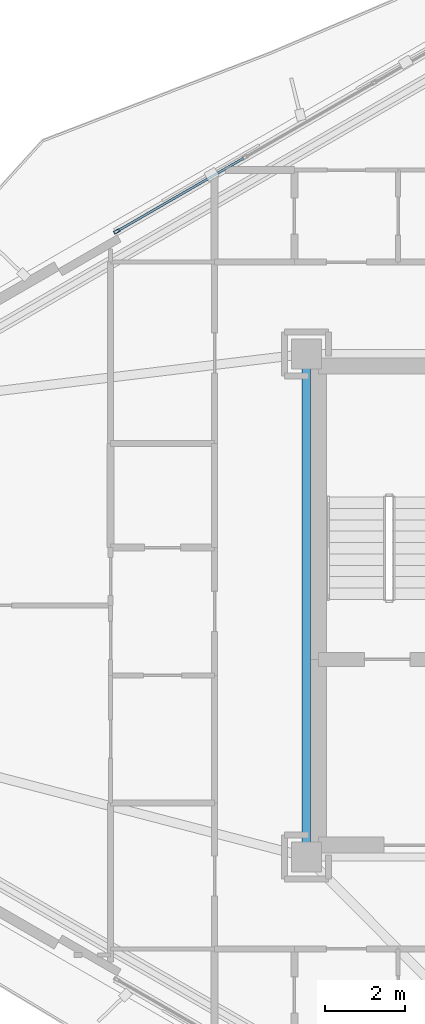
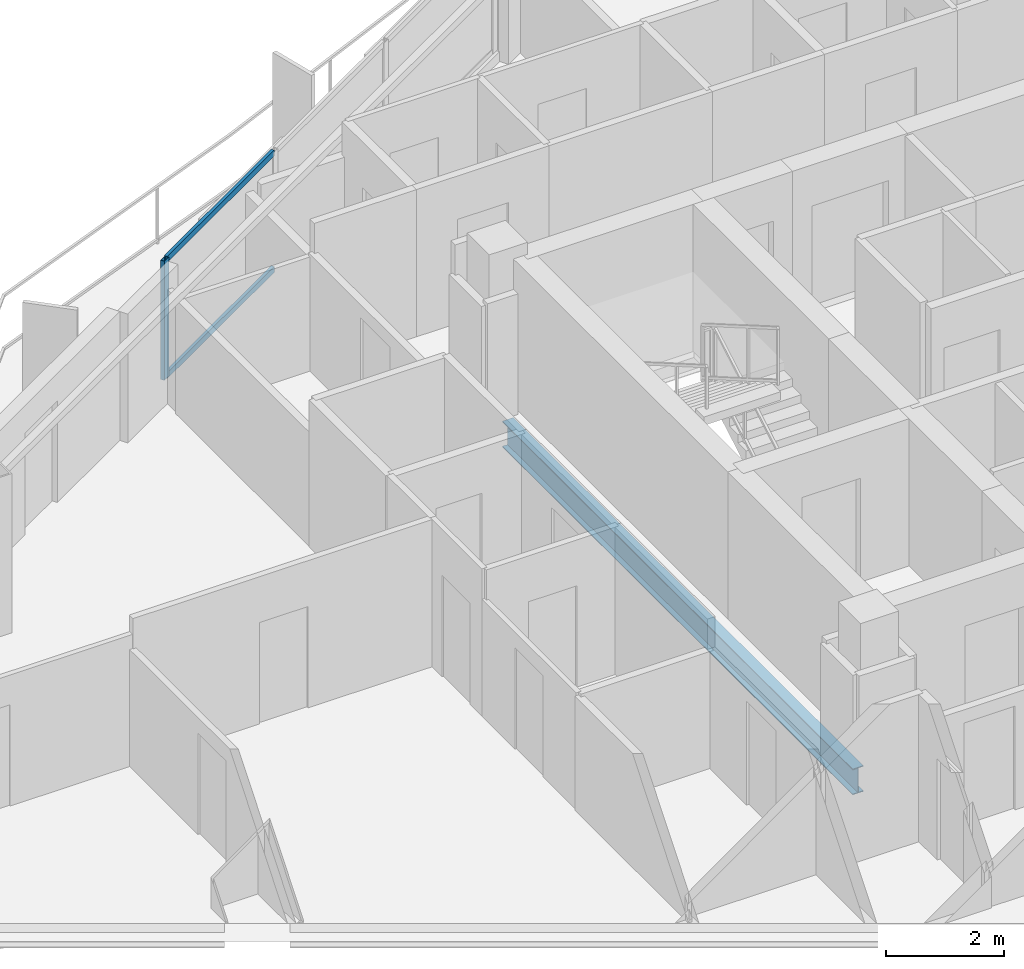
# One storey, part 6 of 22: 3 members, 1 beam, 1 element without a shape of its own.
"""IFC4 building model written with IfcOpenShell, lengths in metres."""

from ifc_helpers import new_model, si_unit, direction, frame, origin, origin_2d, place, context, subcontext, project, spatial, hollow_rectangle, i_section, extrude, material, layer, layer_set, material_profile, profile_set, type_object, element, aggregate, save


model = new_model("IFC4")

# Units and contexts
model_context = context("Model", 3, precision=1e-05, world=origin(), true_north=direction((0.0, 1.0)))
body_context = subcontext(model_context, "Body", "Model", "MODEL_VIEW")
ifc_project = project(units=[si_unit("LENGTHUNIT", "METRE"), si_unit("AREAUNIT", "SQUARE_METRE"), si_unit("VOLUMEUNIT", "CUBIC_METRE"), si_unit("PLANEANGLEUNIT", "RADIAN"), si_unit("MASSUNIT", "GRAM", prefix="KILO")], contexts=[model_context])

# Site, building, storey
site_placement = place(None, origin())
site = spatial("IfcSite", under=ifc_project, at=site_placement, CompositionType="ELEMENT")
building_placement = place(site_placement, origin())
building = spatial("IfcBuilding", under=site, at=building_placement, Name="Mersakhor Tower and Convention Hall", CompositionType="ELEMENT")
storey_placement = place(building_placement, frame((0.0, 0.0, 99.89990234375)))
storey = spatial("IfcBuildingStorey", under=building, at=storey_placement, Name="L27", CompositionType="ELEMENT", Elevation=99.89990234375)

# Beam
ifc_material_1 = material(Name="Steel S355", Category="steel")
ifc_material_profile_1 = material_profile(ifc_material_1, i_section(OverallWidth=0.2099609375, OverallDepth=0.53662109375, WebThickness=0.0107421875, FlangeThickness=0.017333984375, at=origin_2d()), Name="UB 533x210x101")
ifc_profile_set_1 = profile_set([ifc_material_profile_1], Name="Steel S355")
beam_type = type_object("IfcBeamType", Name="BM-FB-533", PredefinedType="BEAM", material=ifc_profile_set_1)
beam_placement = place(storey_placement, frame((21.89990234375, 20.804931640625, -0.518310546875), z_axis=(0.0, 1.0, 0.0), x_axis=(-1.0, 0.0, 0.0)))
element("IfcBeam", 1, at=beam_placement, inside=storey, type_object=beam_type, Name="L27 Core Ring Tie Beam CRB-1", PredefinedType="BEAM", context=body_context, shape_type="SweptSolid", body=[
    extrude(i_section(OverallWidth=0.2099609375, OverallDepth=0.53662109375, WebThickness=0.0107421875, FlangeThickness=0.017333984375, at=origin_2d()), origin(), (0.0, 0.0, 1.0), 11.89013671875),
])

# Curtain wall, members
ifc_material_2 = material(Name="Dark solar low-E aluminium curtain wall", Category="aluminium")
ifc_layer = layer(ifc_material_2, 0.159912109375)
ifc_layer_set = layer_set([ifc_layer], Name="Dark solar low-E aluminium curtain wall")
curtain_wall_type = type_object("IfcCurtainWallType", Name="CW-SYS-01", PredefinedType="USERDEFINED", material=ifc_layer_set)
curtain_wall_placement = place(storey_placement, origin())
curtain_wall = element("IfcCurtainWall", 2, at=curtain_wall_placement, inside=storey, type_object=curtain_wall_type, Name="L27 Dark-Glass Curtain Wall F1-B2", ObjectType="CURTAIN WALL", PredefinedType="USERDEFINED")
ifc_material_3 = material(Name="Anodised aluminium EN AW-6063 T6", Category="aluminium")
ifc_material_profile_2 = material_profile(ifc_material_3, hollow_rectangle(XDim=0.074951171875, YDim=0.14990234375, WallThickness=0.00634765625, at=origin_2d()), Name="RHS 150x75x6.3")
ifc_profile_set_2 = profile_set([ifc_material_profile_2], Name="Anodised aluminium EN AW-6063 T6")
member_type_1 = type_object("IfcMemberType", Name="CWM-150x75", PredefinedType="MULLION", material=ifc_profile_set_2)
member_1_placement = place(storey_placement, frame((17.152587890625, 36.11572265625, 0.2001953125), z_axis=(0.0, 0.0, 1.0), x_axis=(-0.499997904985, 0.866026613339, 0.0)))
member_1 = element("IfcMember", 3, at=member_1_placement, type_object=member_type_1, Name="CW-01 mullion 1", PredefinedType="MULLION", context=body_context, shape_type="SweptSolid", body=[
    extrude(hollow_rectangle(XDim=0.074951171875, YDim=0.14990234375, WallThickness=0.00634765625, at=origin_2d()), origin(), (0.0, 0.0, 1.0), 2.469970703125),
])
ifc_material_4 = material(Name="Anodised aluminium EN AW-6063 T6", Category="aluminium")
ifc_material_profile_3 = material_profile(ifc_material_4, hollow_rectangle(XDim=0.06005859375, YDim=0.1201171875, WallThickness=0.0048828125, at=origin_2d()), Name="RHS 120x60x5")
ifc_profile_set_3 = profile_set([ifc_material_profile_3], Name="Anodised aluminium EN AW-6063 T6")
member_type_2 = type_object("IfcMemberType", Name="CWT-120x60", PredefinedType="USERDEFINED", material=ifc_profile_set_3)
member_2_placement = place(storey_placement, frame((17.18505859375, 36.134521484375, 0.22998046875), z_axis=(0.866045614266, 0.499964992784, 0.0), x_axis=(-0.499964992784, 0.866045614266, 0.0)))
member_2 = element("IfcMember", 4, at=member_2_placement, type_object=member_type_2, Name="CW-01 transom 1.1", ObjectType="TRANSOM", PredefinedType="USERDEFINED", context=body_context, shape_type="SweptSolid", body=[
    extrude(hollow_rectangle(XDim=0.06005859375, YDim=0.1201171875, WallThickness=0.0048828125, at=origin_2d()), origin(), (0.0, 0.0, 1.0), 3.630615234375),
])
member_3_placement = place(storey_placement, frame((17.18505859375, 36.134521484375, 2.64013671875), z_axis=(0.866045614266, 0.499964992784, 0.0), x_axis=(-0.499964992784, 0.866045614266, 0.0)))
member_3 = element("IfcMember", 5, at=member_3_placement, type_object=member_type_2, Name="CW-01 transom 1.2", ObjectType="TRANSOM", PredefinedType="USERDEFINED", context=body_context, shape_type="SweptSolid", body=[
    extrude(hollow_rectangle(XDim=0.06005859375, YDim=0.1201171875, WallThickness=0.0048828125, at=origin_2d()), origin(), (0.0, 0.0, 1.0), 3.630615234375),
])
aggregate(curtain_wall, [member_1, member_2, member_3])

save(model, "model.ifc")
